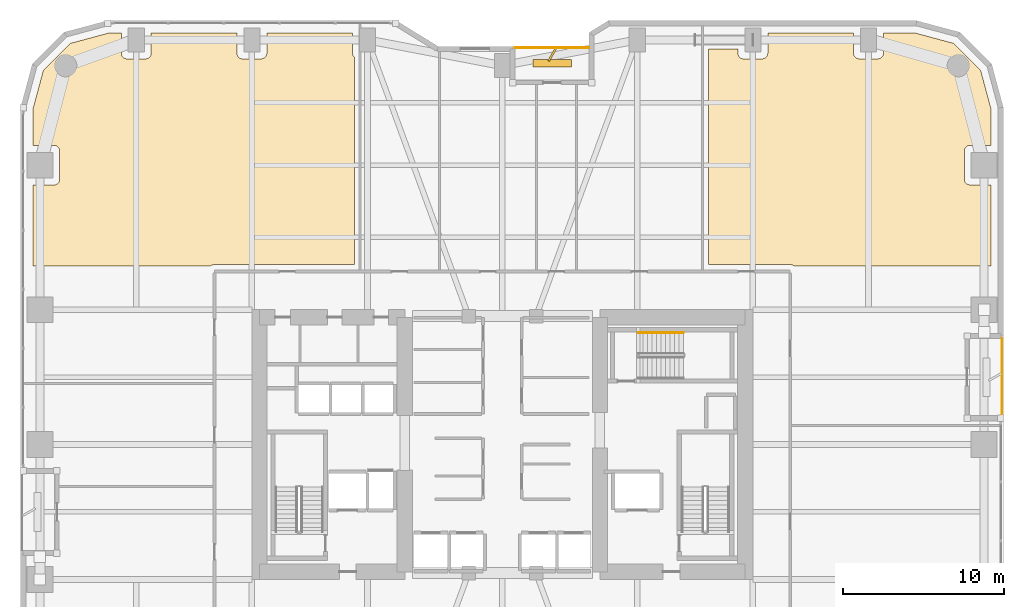
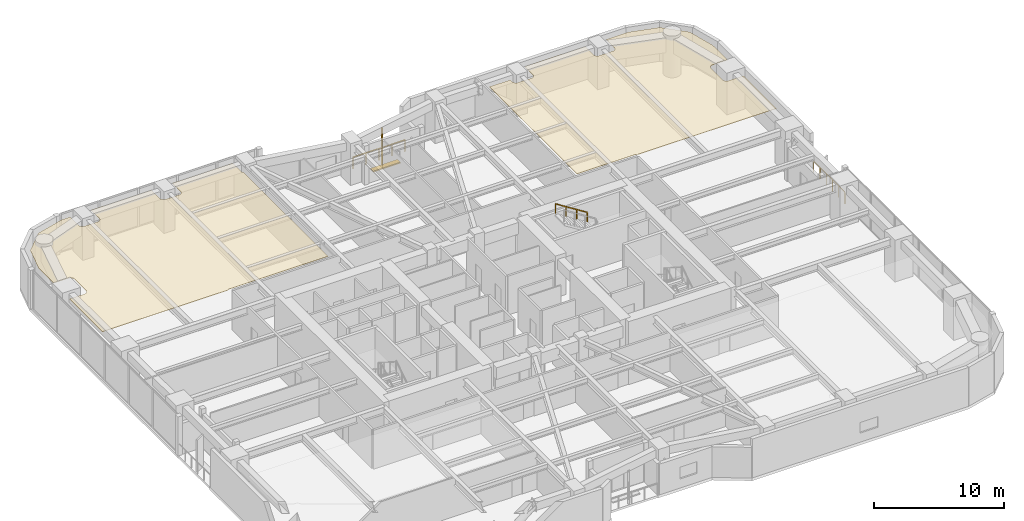
# One storey, part 28 of 28: 3 railings, 2 coverings, 2 shading devices.
"""IFC4 building model written with IfcOpenShell, lengths in metres."""

import ifcopenshell
import ifcopenshell.guid

model = None  # the IFC model being written
_history = None  # IfcOwnerHistory: only IFC2X3 demands one
_inside = {}  # id of a spatial element -> (the spatial element, [elements in it])
_under = {}  # id of a project, library or spatial element -> (it, [spatial elements below it])
_declared = {}  # id of a project -> (the project, [libraries it declares])
_typed = {}  # id of a type object -> (the type object, [elements of that type])
_made_of = {}  # id of a material, layer set ... -> (it, [elements and type objects made of it])


def new_model(schema):
    """Start an empty IFC model of exactly this schema.

    Asked for "IFC4X3", IfcOpenShell would pick the latest addendum, in which some entities
    have other attributes; the version numbers below select the first issue.
    IFC2X3 requires an IfcOwnerHistory on every rooted entity: one is made here for all.
    """
    global model, _history
    if schema == "IFC4X3":
        model = ifcopenshell.file(schema_version=(4, 3, 0, 0))
    else:
        model = ifcopenshell.file(schema=schema)
    _inside.clear()
    _under.clear()
    _declared.clear()
    _typed.clear()
    _made_of.clear()
    _history = None
    if model.schema == "IFC2X3":
        org = make("IfcOrganization", Name="unknown")
        user = make(
            "IfcPersonAndOrganization",
            ThePerson=make("IfcPerson", FamilyName="unknown"),
            TheOrganization=org,
        )
        app = make(
            "IfcApplication",
            ApplicationDeveloper=org,
            Version="unknown",
            ApplicationFullName="unknown",
            ApplicationIdentifier="unknown",
        )
        _history = make(
            "IfcOwnerHistory",
            OwningUser=user,
            OwningApplication=app,
            ChangeAction="ADDED",
            CreationDate=0,
        )
    return model


def make(cls, **values):
    """One entity of the class cls with the attributes given. An attribute that is None is left unset."""
    return model.create_entity(
        cls, **{name: value for name, value in values.items() if value is not None}
    )


def rooted(cls, **values):
    """An entity with a GlobalId (a new one), such as an element, a storey or a relation."""
    return make(cls, GlobalId=ifcopenshell.guid.new(), OwnerHistory=_history, **values)


def si_unit(unit_type, name, prefix=None):
    """IfcSIUnit, for example si_unit("LENGTHUNIT", "METRE", prefix="MILLI")."""
    return make("IfcSIUnit", UnitType=unit_type, Prefix=prefix, Name=name)


def assignment(units):
    """IfcUnitAssignment: the units of a project."""
    return None if units is None else make("IfcUnitAssignment", Units=units)


def point(xyz):
    """IfcCartesianPoint."""
    return None if xyz is None else make("IfcCartesianPoint", Coordinates=xyz)


def direction(xyz):
    """IfcDirection."""
    return None if xyz is None else make("IfcDirection", DirectionRatios=xyz)


def frame(location, z_axis=None, x_axis=None):
    """IfcAxis2Placement3D, a coordinate frame: its origin and axes. An axis left out is left unset."""
    return make(
        "IfcAxis2Placement3D",
        Location=point(location),
        Axis=direction(z_axis),
        RefDirection=direction(x_axis),
    )


def frame_2d(location, x_axis=None):
    """IfcAxis2Placement2D, a coordinate frame in the plane: its origin and x axis."""
    return make(
        "IfcAxis2Placement2D", Location=point(location), RefDirection=direction(x_axis)
    )


def origin():
    """The frame at (0, 0, 0) with its axes left unset."""
    return frame((0.0, 0.0, 0.0))


def origin_2d():
    """The frame at (0, 0) in the plane with its x axis left unset."""
    return frame_2d((0.0, 0.0))


def place(relative_to, where):
    """IfcLocalPlacement: puts the frame where relative to a parent placement (None: the world)."""
    return make(
        "IfcLocalPlacement", PlacementRelTo=relative_to, RelativePlacement=where
    )


def context(
    kind, dimensions, precision=None, world=None, true_north=None, identifier=None
):
    """IfcGeometricRepresentationContext, for example the 3D "Model" context."""
    return make(
        "IfcGeometricRepresentationContext",
        ContextIdentifier=identifier,
        ContextType=kind,
        CoordinateSpaceDimension=dimensions,
        Precision=precision,
        WorldCoordinateSystem=world,
        TrueNorth=true_north,
    )


def subcontext(parent, identifier, kind, view, scale=None):
    """IfcGeometricRepresentationSubContext, for example "Body" below "Model"."""
    return make(
        "IfcGeometricRepresentationSubContext",
        ContextIdentifier=identifier,
        ContextType=kind,
        ParentContext=parent,
        TargetScale=scale,
        TargetView=view,
    )


def project(units=None, contexts=None):
    """IfcProject with its units and contexts."""
    return rooted(
        "IfcProject",
        Name="project",
        RepresentationContexts=contexts,
        UnitsInContext=assignment(units),
    )


def spatial(cls, under=None, at=None, **own):
    """A site, building, storey or space (cls), placed at a placement, below another one or the project."""
    s = rooted(cls, ObjectPlacement=at, **own)
    if under is not None:
        _under.setdefault(under.id(), (under, []))[1].append(s)
    return s


def polyline(points):
    """IfcPolyline through the points."""
    return make("IfcPolyline", Points=[point(p) for p in points])


def profile(cls, at=None, kind="AREA", **sizes):
    """A parametric profile (cls). Its sizes go by their IFC names, for example OverallWidth=200.0."""
    return make(cls, ProfileType=kind, Position=at, **sizes)


def rectangle(**sizes):
    """IfcRectangleProfileDef."""
    return profile("IfcRectangleProfileDef", **sizes)


def outline(outer, holes=None, kind="AREA"):
    """IfcArbitraryClosedProfileDef: a profile drawn as a closed curve; with holes, ...WithVoids."""
    if holes is None:
        return make("IfcArbitraryClosedProfileDef", ProfileType=kind, OuterCurve=outer)
    return make(
        "IfcArbitraryProfileDefWithVoids",
        ProfileType=kind,
        OuterCurve=outer,
        InnerCurves=holes,
    )


def extrude(swept, where, along, depth):
    """IfcExtrudedAreaSolid: the profile swept, set in the frame where, extruded along a direction by depth."""
    return make(
        "IfcExtrudedAreaSolid",
        SweptArea=swept,
        Position=where,
        ExtrudedDirection=direction(along),
        Depth=depth,
    )


def shape(context_of_items, identifier, shape_type, items):
    """IfcShapeRepresentation: the items that make up one representation, for example the "Body"."""
    return make(
        "IfcShapeRepresentation",
        ContextOfItems=context_of_items,
        RepresentationIdentifier=identifier,
        RepresentationType=shape_type,
        Items=items,
    )


def material(Name=None, Category=None):
    """IfcMaterial."""
    return make("IfcMaterial", Name=Name, Category=Category)


def layer(
    of_material, thickness, ventilated=None, Name=None, Category=None, Priority=None
):
    """IfcMaterialLayer: one layer of a wall or slab, of a material (None: an air gap)."""
    return make(
        "IfcMaterialLayer",
        Material=of_material,
        LayerThickness=thickness,
        IsVentilated=ventilated,
        Name=Name,
        Category=Category,
        Priority=Priority,
    )


def layer_set(layers, Name=None):
    """IfcMaterialLayerSet."""
    return make("IfcMaterialLayerSet", MaterialLayers=layers, LayerSetName=Name)


def made_of(thing, what):
    """Note that an element or type object is made of a material, layer set ...; save() writes the relation."""
    if what is not None:
        _made_of.setdefault(what.id(), (what, []))[1].append(thing)
    return thing


def type_object(cls, material=None, **own):
    """A type object (cls), such as IfcWallType, which elements share."""
    return made_of(rooted(cls, **own), material)


def element(
    cls,
    number,
    at=None,
    inside=None,
    cuts=None,
    type_object=None,
    material=None,
    context=None,
    identifier="Body",
    shape_type=None,
    held_by="IfcProductDefinitionShape",
    body=None,
    shapes=None,
    **own,
):
    """One element of the class cls, such as IfcWall. Its Tag is "e" and its number.

    at: its placement. inside: the storey or other place that contains it. cuts: it is an
    opening in that element (IfcRelVoidsElement). A single representation is given by context,
    identifier, shape_type and body (its items); several are given by shapes. held_by: the class
    of the entity that holds the representations. save() writes the other relations.
    """
    e = rooted(cls, Tag="e%d" % number, ObjectPlacement=at, **own)
    if body is not None:
        shapes = [shape(context, identifier, shape_type, body)]
    if shapes is not None:
        e.Representation = make(held_by, Representations=shapes)
    if inside is not None:
        _inside.setdefault(inside.id(), (inside, []))[1].append(e)
    if cuts is not None:
        rooted(
            "IfcRelVoidsElement", RelatingBuildingElement=cuts, RelatedOpeningElement=e
        )
    if type_object is not None:
        _typed.setdefault(type_object.id(), (type_object, []))[1].append(e)
    return made_of(e, material)


def aggregate(whole, parts):
    """IfcRelAggregates: a whole, such as a stair, and the parts it consists of."""
    return rooted("IfcRelAggregates", RelatingObject=whole, RelatedObjects=parts)


def save(model, path):
    """Write the relations noted so far, then the file.

    IfcRelAggregates (storeys below a building ...), IfcRelContainedInSpatialStructure (elements
    in a storey), IfcRelDefinesByType, IfcRelAssociatesMaterial and IfcRelDeclares: one each for
    every whole, place, type object, material and project.
    """
    for whole, parts in _under.values():
        aggregate(whole, parts)
    for where, things in _inside.values():
        rooted(
            "IfcRelContainedInSpatialStructure",
            RelatedElements=things,
            RelatingStructure=where,
        )
    for kind, things in _typed.values():
        rooted("IfcRelDefinesByType", RelatedObjects=things, RelatingType=kind)
    for what, things in _made_of.values():
        rooted("IfcRelAssociatesMaterial", RelatedObjects=things, RelatingMaterial=what)
    for by, libraries in _declared.values():
        rooted("IfcRelDeclares", RelatingContext=by, RelatedDefinitions=libraries)
    model.write(path)


model = new_model("IFC4")

# Units and contexts
model_context = context("Model", 3, precision=1e-05, world=origin(), true_north=direction((0.0, 1.0)))
body_context = subcontext(model_context, "Body", "Model", "MODEL_VIEW")
ifc_project = project(units=[si_unit("LENGTHUNIT", "METRE"), si_unit("AREAUNIT", "SQUARE_METRE"), si_unit("VOLUMEUNIT", "CUBIC_METRE"), si_unit("PLANEANGLEUNIT", "RADIAN"), si_unit("MASSUNIT", "GRAM", prefix="KILO")], contexts=[model_context])

# Site, building, storey
site_placement = place(None, origin())
site = spatial("IfcSite", under=ifc_project, at=site_placement, CompositionType="ELEMENT")
building_placement = place(site_placement, origin())
building = spatial("IfcBuilding", under=site, at=building_placement, Name="Kiyonajd Concourse Tower", CompositionType="ELEMENT")
storey_placement = place(building_placement, frame((0.0, 0.0, 41.10009765625)))
storey = spatial("IfcBuildingStorey", under=building, at=storey_placement, Name="L11", CompositionType="ELEMENT", Elevation=41.10009765625)

# Coverings
ifc_material_1 = material(Name="Natural Oak Acoustic Timber Veneer", Category="wood")
ifc_layer = layer(ifc_material_1, 0.0400390625)
ifc_layer_set = layer_set([ifc_layer], Name="Natural Oak Acoustic Timber Veneer")
covering_type = type_object("IfcCoveringType", Name="CV-CLG-ACST", PredefinedType="CEILING", material=ifc_layer_set)
covering_1_placement = place(storey_placement, frame((0.0, 0.0, 3.4599609375)))
element("IfcCovering", 1, at=covering_1_placement, inside=storey, type_object=covering_type, Name="L11-47 Room Acoustic Ceiling", PredefinedType="CEILING", context=body_context, shape_type="SweptSolid", body=[
    extrude(outline(polyline([(21.097900390625, 60.986083984375), (23.5009765625, 61.6298828125), (24.27001953125, 61.6298828125), (24.27197265625, 60.3359375), (24.297119140625, 60.236083984375), (24.3291015625, 60.176025390625), (24.373046875, 60.123046875), (24.426025390625, 60.0791015625), (24.486083984375, 60.047119140625), (24.5859375, 60.02197265625), (25.81396484375, 60.02197265625), (25.9140625, 60.047119140625), (26.001953125, 60.09912109375), (26.051025390625, 60.14794921875), (26.089111328125, 60.205078125), (26.123046875, 60.302001953125), (26.1298828125, 60.3701171875), (26.1298828125, 61.6298828125), (31.469970703125, 61.6298828125), (31.471923828125, 60.3359375), (31.4970703125, 60.236083984375), (31.529052734375, 60.176025390625), (31.572998046875, 60.123046875), (31.6259765625, 60.0791015625), (31.68603515625, 60.047119140625), (31.785888671875, 60.02197265625), (32.97998046875, 60.02001953125), (33.048095703125, 60.027099609375), (33.114013671875, 60.047119140625), (33.201904296875, 60.09912109375), (33.2509765625, 60.14794921875), (33.2890625, 60.205078125), (33.322998046875, 60.302001953125), (33.330078125, 60.3701171875), (33.330078125, 61.6298828125), (38.669921875, 61.6298828125), (38.672119140625, 60.3359375), (38.68505859375, 60.26806640625), (38.7109375, 60.205078125), (38.780029296875, 60.115966796875), (38.780029296875, 47.2099609375), (30.074951171875, 47.2099609375), (29.945068359375, 47.18994140625), (29.882080078125, 47.1640625), (29.826904296875, 47.1298828125), (18.77001953125, 47.1298828125), (18.77001953125, 52.169921875), (20.080078125, 52.169921875), (20.14794921875, 52.177001953125), (20.2451171875, 52.2109375), (20.302001953125, 52.2490234375), (20.35107421875, 52.298095703125), (20.388916015625, 52.35498046875), (20.4150390625, 52.41796875), (20.429931640625, 52.52001953125), (20.429931640625, 54.280029296875), (20.4150390625, 54.382080078125), (20.388916015625, 54.445068359375), (20.35107421875, 54.501953125), (20.302001953125, 54.551025390625), (20.2451171875, 54.589111328125), (20.181884765625, 54.614990234375), (20.114013671875, 54.6279296875), (18.77001953125, 54.6298828125), (18.77001953125, 56.89892578125), (19.4140625, 59.302001953125), (21.097900390625, 60.986083984375)])), origin(), (0.0, 0.0, 1.0), 0.0400390625),
])
covering_2_placement = place(storey_placement, frame((0.0, 0.0, 3.4599609375)))
element("IfcCovering", 2, at=covering_2_placement, inside=storey, type_object=covering_type, Name="L11-52 Room Acoustic Ceiling", PredefinedType="CEILING", context=body_context, shape_type="SweptSolid", body=[
    extrude(outline(polyline([(66.173095703125, 47.1298828125), (66.117919921875, 47.1640625), (66.054931640625, 47.18994140625), (65.925048828125, 47.2099609375), (60.830078125, 47.2099609375), (60.830078125, 60.6298828125), (62.669921875, 60.6298828125), (62.672119140625, 60.3359375), (62.697021484375, 60.236083984375), (62.72900390625, 60.176025390625), (62.77294921875, 60.123046875), (62.825927734375, 60.0791015625), (62.885986328125, 60.047119140625), (62.951904296875, 60.027099609375), (63.02001953125, 60.02001953125), (64.179931640625, 60.02001953125), (64.281982421875, 60.034912109375), (64.344970703125, 60.06103515625), (64.427001953125, 60.123046875), (64.489013671875, 60.205078125), (64.52294921875, 60.302001953125), (64.530029296875, 60.3701171875), (64.530029296875, 61.6298828125), (69.8701171875, 61.6298828125), (69.8701171875, 60.3701171875), (69.876953125, 60.302001953125), (69.89697265625, 60.236083984375), (69.928955078125, 60.176025390625), (69.998046875, 60.09912109375), (70.0859375, 60.047119140625), (70.18603515625, 60.02197265625), (71.4140625, 60.02197265625), (71.513916015625, 60.047119140625), (71.573974609375, 60.0791015625), (71.626953125, 60.123046875), (71.68896484375, 60.205078125), (71.715087890625, 60.26806640625), (71.72802734375, 60.3359375), (71.72998046875, 61.6298828125), (73.698974609375, 61.6298828125), (76.10205078125, 60.986083984375), (77.785888671875, 59.302001953125), (78.429931640625, 56.89892578125), (78.429931640625, 54.6298828125), (77.1201171875, 54.6298828125), (77.052001953125, 54.623046875), (76.986083984375, 54.60302734375), (76.926025390625, 54.571044921875), (76.84912109375, 54.501953125), (76.81103515625, 54.445068359375), (76.784912109375, 54.382080078125), (76.77001953125, 54.280029296875), (76.77001953125, 52.52001953125), (76.784912109375, 52.41796875), (76.81103515625, 52.35498046875), (76.84912109375, 52.298095703125), (76.89794921875, 52.2490234375), (76.955078125, 52.2109375), (77.01806640625, 52.18505859375), (77.0859375, 52.172119140625), (78.429931640625, 52.169921875), (78.429931640625, 47.1298828125), (66.173095703125, 47.1298828125)])), origin(), (0.0, 0.0, 1.0), 0.0400390625),
])

# Railings
ifc_material_2 = material(Name="Thermally Broken Anodised Aluminium", Category="aluminium")
railing_type_1 = type_object("IfcRailingType", Name="RL-GRD-LOG", PredefinedType="GUARDRAIL", material=ifc_material_2)
railing_1_placement = place(storey_placement, frame((53.39990234375, 60.719970703125, 0.0)))
element("IfcRailing", 3, at=railing_1_placement, inside=storey, type_object=railing_type_1, Name="L11 Engawa Loggia Perimeter Guard LOG-N", PredefinedType="GUARDRAIL", context=body_context, shape_type="SweptSolid", body=[
    extrude(rectangle(XDim=0.048095703125, YDim=0.048095703125, at=origin_2d()), frame((0.0, 0.0, 1.076171875), z_axis=(-1.0, 0.0, 0.0), x_axis=(0.0, -1.0, 0.0)), (0.0, 0.0, 1.0), 4.599853515625),
    extrude(rectangle(XDim=0.0419921875, YDim=0.0419921875, at=origin_2d()), origin(), (0.0, 0.0, 1.0), 1.052001953125),
    extrude(rectangle(XDim=0.0419921875, YDim=0.0419921875, at=origin_2d()), frame((-1.14990234375, 0.0, 0.0)), (0.0, 0.0, 1.0), 1.052001953125),
    extrude(rectangle(XDim=0.0419921875, YDim=0.0419921875, at=origin_2d()), frame((-2.2998046875, 0.0, 0.0)), (0.0, 0.0, 1.0), 1.052001953125),
    extrude(rectangle(XDim=0.0419921875, YDim=0.0419921875, at=origin_2d()), frame((-3.449951171875, 0.0, 0.0)), (0.0, 0.0, 1.0), 1.052001953125),
    extrude(rectangle(XDim=0.0419921875, YDim=0.0419921875, at=origin_2d()), frame((-4.599853515625, 0.0, 0.0)), (0.0, 0.0, 1.0), 1.052001953125),
])
railing_2_placement = place(storey_placement, frame((79.1201171875, 37.800048828125, 0.0)))
element("IfcRailing", 4, at=railing_2_placement, inside=storey, type_object=railing_type_1, Name="L11 Engawa Loggia Perimeter Guard LOG-E", PredefinedType="GUARDRAIL", context=body_context, shape_type="SweptSolid", body=[
    extrude(rectangle(XDim=0.048095703125, YDim=0.048095703125, at=origin_2d()), frame((0.0, 0.0, 1.076171875), z_axis=(0.0, 1.0, 0.0), x_axis=(-1.0, 0.0, 0.0)), (0.0, 0.0, 1.0), 4.800048828125),
    extrude(rectangle(XDim=0.0419921875, YDim=0.0419921875, at=origin_2d()), origin(), (0.0, 0.0, 1.0), 1.052001953125),
    extrude(rectangle(XDim=0.0419921875, YDim=0.0419921875, at=origin_2d()), frame((0.0, 0.9599609375, 0.0)), (0.0, 0.0, 1.0), 1.052001953125),
    extrude(rectangle(XDim=0.0419921875, YDim=0.0419921875, at=origin_2d()), frame((0.0, 1.919921875, 0.0)), (0.0, 0.0, 1.0), 1.052001953125),
    extrude(rectangle(XDim=0.0419921875, YDim=0.0419921875, at=origin_2d()), frame((0.0, 2.880126953125, 0.0)), (0.0, 0.0, 1.0), 1.052001953125),
    extrude(rectangle(XDim=0.0419921875, YDim=0.0419921875, at=origin_2d()), frame((0.0, 3.840087890625, 0.0)), (0.0, 0.0, 1.0), 1.052001953125),
    extrude(rectangle(XDim=0.0419921875, YDim=0.0419921875, at=origin_2d()), frame((0.0, 4.800048828125, 0.0)), (0.0, 0.0, 1.0), 1.052001953125),
])
ifc_material_3 = material(Name="Brushed Stainless Steel Cab Assembly", Category="steel")
railing_type_2 = type_object("IfcRailingType", Name="RL-HND-900", PredefinedType="HANDRAIL", material=ifc_material_3)
railing_3_placement = place(storey_placement, frame((59.280029296875, 42.969970703125, 2.127197265625)))
element("IfcRailing", 5, at=railing_3_placement, inside=storey, type_object=railing_type_2, Name="L11 ST3 stair handrail 2", PredefinedType="HANDRAIL", context=body_context, shape_type="SweptSolid", body=[
    extrude(rectangle(XDim=0.048095703125, YDim=0.048095703125, at=origin_2d()), frame((0.0, 0.0, 0.8759765625), z_axis=(-0.844908973607, 0.0, 0.534910110503), x_axis=(0.0, -1.0, 0.0)), (0.0, 0.0, 1.0), 3.31396484375),
    extrude(rectangle(XDim=0.0419921875, YDim=0.0419921875, at=origin_2d()), origin(), (0.0, 0.0, 1.0), 0.851806640625),
    extrude(rectangle(XDim=0.0419921875, YDim=0.0419921875, at=origin_2d()), frame((-0.933349609375, 0.0, 0.5908203125)), (0.0, 0.0, 1.0), 0.851806640625),
    extrude(rectangle(XDim=0.0419921875, YDim=0.0419921875, at=origin_2d()), frame((-1.86669921875, 0.0, 1.181884765625)), (0.0, 0.0, 1.0), 0.851806640625),
    extrude(rectangle(XDim=0.0419921875, YDim=0.0419921875, at=origin_2d()), frame((-2.800048828125, 0.0, 1.772705078125)), (0.0, 0.0, 1.0), 0.851806640625),
])

# Shading devices
ifc_material_4 = material(Name="Precast concrete C50/60", Category="concrete")
shading_device_type_1 = type_object("IfcShadingDeviceType", Name="SH-FIN-900", PredefinedType="USERDEFINED", material=ifc_material_4)
shading_device_1_placement = place(storey_placement, frame((51.10009765625, 60.27001953125, 0.0), z_axis=(0.0, 0.0, 1.0), x_axis=(0.5, 0.866025403784, 0.0)))
element("IfcShadingDevice", 6, at=shading_device_1_placement, inside=storey, type_object=shading_device_type_1, Name="L11 Angled Koshi Solar Fin LOG-N", ObjectType="FIN", PredefinedType="USERDEFINED", context=body_context, shape_type="SweptSolid", body=[
    extrude(rectangle(XDim=0.89990234375, YDim=0.1201171875, at=origin_2d()), origin(), (0.0, 0.0, 1.0), 3.0),
])
shading_device_type_2 = type_object("IfcShadingDeviceType", Name="SH-LVR-600", PredefinedType="JALOUSIE", material=ifc_material_2)
shading_device_2_placement = place(storey_placement, frame((51.10009765625, 59.75, -0.000244140625), z_axis=(0.0, 0.0, 1.0), x_axis=(1.0, 0.0, 0.0)))
element("IfcShadingDevice", 7, at=shading_device_2_placement, inside=storey, type_object=shading_device_type_2, Name="L11 Loggia Threshold Louver LOG-N", PredefinedType="JALOUSIE", context=body_context, shape_type="SweptSolid", body=[
    extrude(rectangle(XDim=2.39990234375, YDim=0.449951171875, at=origin_2d()), origin(), (0.0, 0.0, 1.0), 0.10009765625),
])

save(model, "model.ifc")
